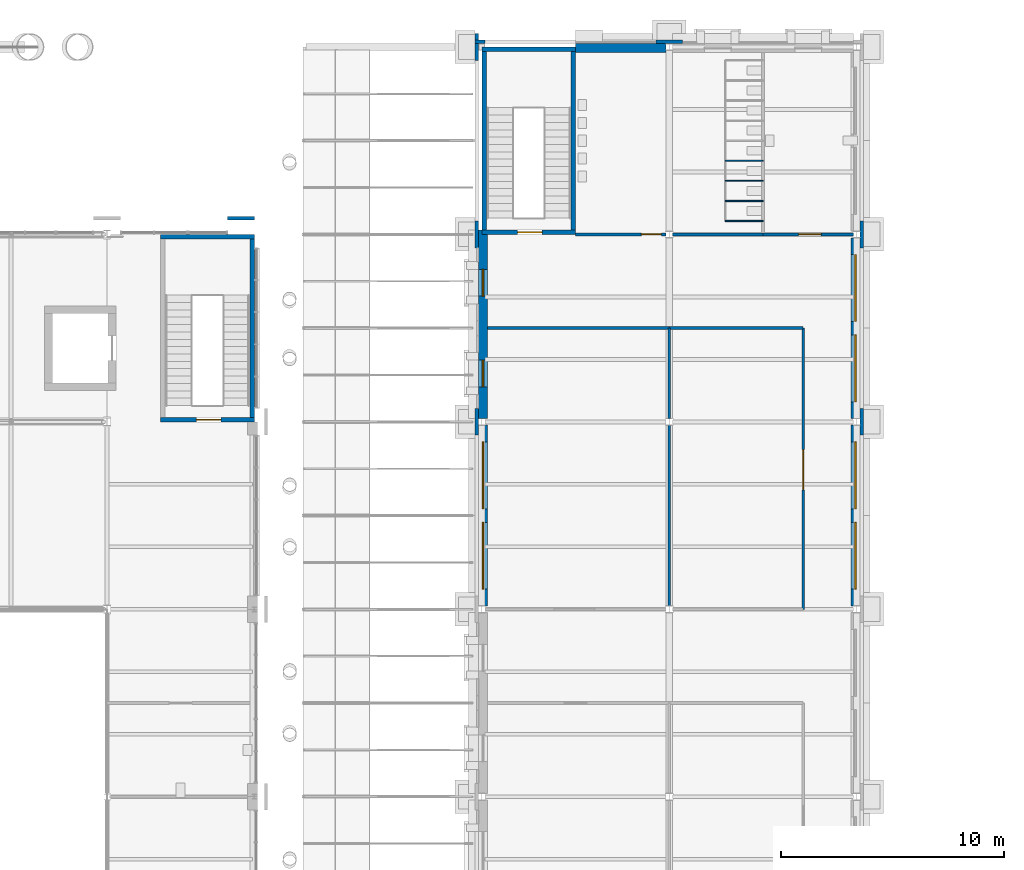
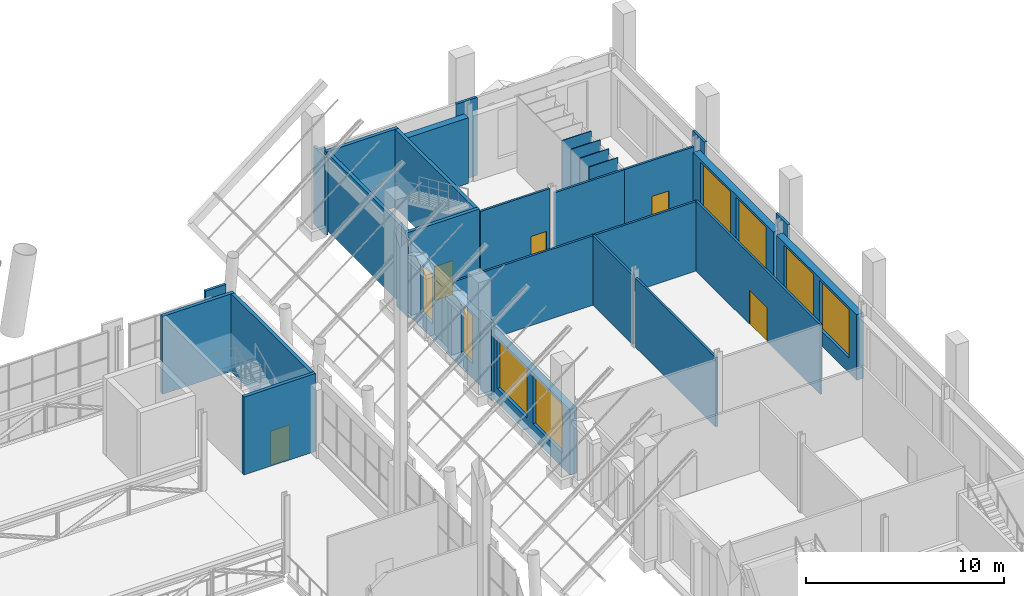
# One storey, part 55 of 76: 32 walls, 8 windows, 5 doors, 13 openings.
"""IFC4 building model written with IfcOpenShell, lengths in metres."""

from ifc_helpers import new_model, si_unit, direction, frame, frame_2d, origin, place, context, subcontext, project, spatial, rectangle, extrude, material, layer, layer_set, type_object, element, fill, save


model = new_model("IFC4")

# Units and contexts
model_context = context("Model", 3, precision=1e-05, world=origin(), true_north=direction((0.0, 1.0)))
body_context = subcontext(model_context, "Body", "Model", "MODEL_VIEW")
ifc_project = project(units=[si_unit("LENGTHUNIT", "METRE"), si_unit("AREAUNIT", "SQUARE_METRE"), si_unit("VOLUMEUNIT", "CUBIC_METRE"), si_unit("PLANEANGLEUNIT", "RADIAN"), si_unit("MASSUNIT", "GRAM", prefix="KILO")], contexts=[model_context])

# Site, building, storey
site_placement = place(None, origin())
site = spatial("IfcSite", under=ifc_project, at=site_placement, CompositionType="ELEMENT")
building_placement = place(site_placement, origin())
building = spatial("IfcBuilding", under=site, at=building_placement, Name="Sava Quay Ferry Terminal", CompositionType="ELEMENT")
storey_placement = place(building_placement, frame((0.0, 0.0, 6.0)))
storey = spatial("IfcBuildingStorey", under=building, at=storey_placement, Name="L01", CompositionType="ELEMENT", Elevation=6.0)

# Walls
ifc_material_1 = material(Name="High-pressure laminate panel")
ifc_layer_1 = layer(ifc_material_1, 0.050048828125)
ifc_layer_set_1 = layer_set([ifc_layer_1], Name="High-pressure laminate panel")
wall_type_1 = type_object("IfcWallType", Name="Cubicle partition 50", PredefinedType="PARTITIONING", material=ifc_layer_set_1)
for number, where, z_axis, x_axis, name in (
    (1, (105.0, 101.39990234375, 0.0), (0.0, 0.0, 1.0), (-1.0, 0.0, 0.0), "Cubicle partition panel"),
    (2, (105.0, 102.300048828125, 0.0), (0.0, 0.0, 1.0), (-1.0, 0.0, 0.0), "Cubicle partition panel"),
    (3, (105.0, 103.199951171875, 0.0), (0.0, 0.0, 1.0), (-1.0, 0.0, 0.0), "Cubicle partition panel"),
    (4, (105.0, 104.10009765625, 0.0), (0.0, 0.0, 1.0), (-1.0, 0.0, 0.0), "Cubicle partition panel"),
):
    element("IfcWall", number, at=place(storey_placement, frame(where, z_axis=z_axis, x_axis=x_axis)), inside=storey, type_object=wall_type_1, Name=name, PredefinedType="PARTITIONING", context=body_context, shape_type="SweptSolid", body=[
        extrude(rectangle(XDim=1.699951171875, YDim=0.050048828125, at=frame_2d((0.85009765625, 0.0))), origin(), (0.0, 0.0, 1.0), 4.669921875),
    ])
ifc_material_2 = material(Name="Limestone Mutalj", Category="masonry")
ifc_layer_2 = layer(ifc_material_2, 0.14990234375)
ifc_layer_set_2 = layer_set([ifc_layer_2], Name="Limestone Mutalj")
wall_type_2 = type_object("IfcWallType", Name="Pier cladding 150", PredefinedType="SOLIDWALL", material=ifc_layer_set_2)
for number, where, z_axis, x_axis, name in (
    (5, (92.175048828125, 91.800048828125, 0.0), (0.0, 0.0, 1.0), (0.0, 1.0, 0.0), "Pier O-W grid 92.4"),
    (6, (92.175048828125, 100.199951171875, 0.0), (0.0, 0.0, 1.0), (0.0, 1.0, 0.0), "Pier O-W grid 100.8"),
    (7, (92.175048828125, 108.60009765625, 0.0), (0.0, 0.0, 1.0), (0.0, 1.0, 0.0), "Pier O-W grid 109.2"),
):
    element("IfcWall", number, at=place(storey_placement, frame(where, z_axis=z_axis, x_axis=x_axis)), inside=storey, type_object=wall_type_2, Name=name, PredefinedType="SOLIDWALL", context=body_context, shape_type="SweptSolid", body=[
        extrude(rectangle(XDim=1.199951171875, YDim=0.14990234375, at=frame_2d((0.60009765625, 0.0))), origin(), (0.0, 0.0, 1.0), 4.800048828125),
    ])
wall_1_placement = place(storey_placement, frame((92.10009765625, 109.43505859375, 0.0), z_axis=(0.0, 0.0, 1.0), x_axis=(1.0, 0.0, 0.0)))
element("IfcWall", 8, at=wall_1_placement, inside=storey, type_object=wall_type_2, Name="Pier O-N grid 92.4", PredefinedType="SOLIDWALL", context=body_context, shape_type="SweptSolid", body=[
    extrude(rectangle(XDim=0.449951171875, YDim=0.14990234375, at=frame_2d((0.22509765625, 0.0))), origin(), (0.0, 0.0, 1.0), 4.800048828125),
])
for number, where, z_axis, x_axis, name in (
    (9, (100.199951171875, 109.43505859375, 0.0), (0.0, 0.0, 1.0), (1.0, 0.0, 0.0), "Pier O-N grid 100.8"),
    (10, (109.425048828125, 91.800048828125, 0.0), (0.0, 0.0, 1.0), (0.0, 1.0, 0.0), "Pier O-E grid 92.4"),
    (11, (109.425048828125, 100.199951171875, 0.0), (0.0, 0.0, 1.0), (0.0, 1.0, 0.0), "Pier O-E grid 100.8"),
    (12, (81.0, 101.52490234375, 0.0), (0.0, 0.0, 1.0), (1.0, 0.0, 0.0), "Pier D-N 81.6"),
):
    element("IfcWall", number, at=place(storey_placement, frame(where, z_axis=z_axis, x_axis=x_axis)), inside=storey, type_object=wall_type_2, Name=name, PredefinedType="SOLIDWALL", context=body_context, shape_type="SweptSolid", body=[
        extrude(rectangle(XDim=1.199951171875, YDim=0.14990234375, at=frame_2d((0.60009765625, 0.0))), origin(), (0.0, 0.0, 1.0), 4.800048828125),
    ])

# Wall, opening, door
ifc_material_3 = material(Name="Concrete C35/45", Category="concrete")
ifc_layer_3 = layer(ifc_material_3, 0.199951171875)
ifc_layer_set_3 = layer_set([ifc_layer_3], Name="Concrete C35/45")
wall_type_3 = type_object("IfcWallType", Name="RC core wall 200", PredefinedType="SHEAR", material=ifc_layer_set_3)
wall_2_placement = place(storey_placement, frame((78.0, 92.5, 0.0), z_axis=(0.0, 0.0, 1.0), x_axis=(1.0, 0.0, 0.0)))
wall_2 = element("IfcWall", 13, at=wall_2_placement, inside=storey, type_object=wall_type_3, Name="Core wall ST-D6 S L01", PredefinedType="SHEAR", context=body_context, shape_type="SweptSolid", body=[
    extrude(rectangle(XDim=4.199951171875, YDim=0.199951171875, at=frame_2d((2.10009765625, 0.0))), origin(), (0.0, 0.0, 1.0), 4.800048828125),
])
opening_1_placement = place(wall_2_placement, frame((1.60009765625, 0.0, 0.0)))
opening_1 = element("IfcOpeningElement", 14, at=opening_1_placement, cuts=wall_2, Name="Opening DS0109", PredefinedType="OPENING", context=body_context, shape_type="SweptSolid", body=[
    extrude(rectangle(XDim=1.10009765625, YDim=2.10009765625, at=frame_2d((0.550048828125, 1.050048828125))), frame((0.0, 0.10009765625, 0.0), z_axis=(0.0, -1.0, 0.0), x_axis=(1.0, 0.0, 0.0)), (0.0, 0.0, 1.0), 0.199951171875),
])
ifc_material_4 = material(Name="Steel fire door set", Category="steel")
door_type_1 = type_object("IfcDoorType", Name="Stair fire door 1100 x 2100", OperationType="NOTDEFINED", PredefinedType="DOOR", material=ifc_material_4)
door_1_placement = place(opening_1_placement, origin())
door_1 = element("IfcDoor", 15, at=door_1_placement, inside=storey, type_object=door_type_1, Name="Door DS0109", OperationType="SINGLE_SWING_RIGHT", OverallHeight=2.10009765625, OverallWidth=1.10009765625, PredefinedType="DOOR", context=body_context, shape_type="SweptSolid", body=[
    extrude(rectangle(XDim=1.10009765625, YDim=2.10009765625, at=frame_2d((0.550048828125, 1.050048828125))), frame((0.0, 0.02490234375, 0.0), z_axis=(0.0, -1.0, 0.0), x_axis=(1.0, 0.0, 0.0)), (0.0, 0.0, 1.0), 0.050048828125),
])
fill(opening_1, door_1)

# Walls
wall_3_placement = place(storey_placement, frame((78.0, 100.699951171875, 0.0), z_axis=(0.0, 0.0, 1.0), x_axis=(1.0, 0.0, 0.0)))
element("IfcWall", 16, at=wall_3_placement, inside=storey, type_object=wall_type_3, Name="Core wall ST-D6 N L01", PredefinedType="SHEAR", context=body_context, shape_type="SweptSolid", body=[
    extrude(rectangle(XDim=4.199951171875, YDim=0.199951171875, at=frame_2d((2.10009765625, 0.0))), origin(), (0.0, 0.0, 1.0), 4.800048828125),
])
wall_4_placement = place(storey_placement, frame((82.10009765625, 92.60009765625, 0.0), z_axis=(0.0, 0.0, 1.0), x_axis=(0.0, 1.0, 0.0)))
element("IfcWall", 17, at=wall_4_placement, inside=storey, type_object=wall_type_3, Name="Core wall ST-D6 E L01", PredefinedType="SHEAR", context=body_context, shape_type="SweptSolid", body=[
    extrude(rectangle(XDim=8.0, YDim=0.199951171875, at=frame_2d((4.0, 0.0))), origin(), (0.0, 0.0, 1.0), 4.800048828125),
])

# Wall, opening, door
wall_5_placement = place(storey_placement, frame((92.39990234375, 100.89990234375, 0.0), z_axis=(0.0, 0.0, 1.0), x_axis=(1.0, 0.0, 0.0)))
wall_5 = element("IfcWall", 18, at=wall_5_placement, inside=storey, type_object=wall_type_3, Name="Core wall ST-O3 S L01", PredefinedType="SHEAR", context=body_context, shape_type="SweptSolid", body=[
    extrude(rectangle(XDim=4.2001953125, YDim=0.199951171875, at=frame_2d((2.10009765625, 0.0))), origin(), (0.0, 0.0, 1.0), 4.800048828125),
])
opening_2_placement = place(wall_5_placement, frame((1.60009765625, 0.0, 0.0)))
opening_2 = element("IfcOpeningElement", 19, at=opening_2_placement, cuts=wall_5, Name="Opening DS0115", PredefinedType="OPENING", context=body_context, shape_type="SweptSolid", body=[
    extrude(rectangle(XDim=1.10009765625, YDim=2.10009765625, at=frame_2d((0.550048828125, 1.050048828125))), frame((0.0, 0.10009765625, 0.0), z_axis=(0.0, -1.0, 0.0), x_axis=(1.0, 0.0, 0.0)), (0.0, 0.0, 1.0), 0.199951171875),
])
door_2_placement = place(opening_2_placement, origin())
door_2 = element("IfcDoor", 20, at=door_2_placement, inside=storey, type_object=door_type_1, Name="Door DS0115", OperationType="SINGLE_SWING_RIGHT", OverallHeight=2.10009765625, OverallWidth=1.10009765625, PredefinedType="DOOR", context=body_context, shape_type="SweptSolid", body=[
    extrude(rectangle(XDim=1.10009765625, YDim=2.10009765625, at=frame_2d((0.550048828125, 1.050048828125))), frame((0.0, 0.02490234375, 0.0), z_axis=(0.0, -1.0, 0.0), x_axis=(1.0, 0.0, 0.0)), (0.0, 0.0, 1.0), 0.050048828125),
])
fill(opening_2, door_2)

# Walls
wall_6_placement = place(storey_placement, frame((92.39990234375, 109.10009765625, 0.0), z_axis=(0.0, 0.0, 1.0), x_axis=(1.0, 0.0, 0.0)))
element("IfcWall", 21, at=wall_6_placement, inside=storey, type_object=wall_type_3, Name="Core wall ST-O3 N L01", PredefinedType="SHEAR", context=body_context, shape_type="SweptSolid", body=[
    extrude(rectangle(XDim=4.2001953125, YDim=0.199951171875, at=frame_2d((2.10009765625, 0.0))), origin(), (0.0, 0.0, 1.0), 4.800048828125),
])
for number, where, z_axis, x_axis, name in (
    (22, (92.5, 101.0, 0.0), (0.0, 0.0, 1.0), (0.0, 1.0, 0.0), "Core wall ST-O3 W L01"),
    (23, (96.5, 101.0, 0.0), (0.0, 0.0, 1.0), (0.0, 1.0, 0.0), "Core wall ST-O3 E L01"),
):
    element("IfcWall", number, at=place(storey_placement, frame(where, z_axis=z_axis, x_axis=x_axis)), inside=storey, type_object=wall_type_3, Name=name, PredefinedType="SHEAR", context=body_context, shape_type="SweptSolid", body=[
        extrude(rectangle(XDim=8.0, YDim=0.199951171875, at=frame_2d((4.0, 0.0))), origin(), (0.0, 0.0, 1.0), 4.800048828125),
    ])
ifc_material_5 = material(Name="Plasterboard on steel studs", Category="steel")
ifc_layer_4 = layer(ifc_material_5, 0.125)
ifc_layer_set_4 = layer_set([ifc_layer_4], Name="Plasterboard on steel studs")
wall_type_4 = type_object("IfcWallType", Name="Room partition, plasterboard on steel studs 125", PredefinedType="PARTITIONING", material=ifc_layer_set_4)
wall_7_placement = place(storey_placement, frame((92.650390625, 96.60009765625, 0.0), z_axis=(0.0, 0.0, 1.0), x_axis=(1.0, 0.0, 0.0)))
element("IfcWall", 24, at=wall_7_placement, inside=storey, type_object=wall_type_4, Name="Room partition, plasterboard on steel studs 125", PredefinedType="PARTITIONING", context=body_context, shape_type="SweptSolid", body=[
    extrude(rectangle(XDim=8.149658203125, YDim=0.125, at=frame_2d((4.07470703125, 0.0))), origin(), (0.0, 0.0, 1.0), 4.280029296875),
])
wall_8_placement = place(storey_placement, frame((100.800048828125, 96.60009765625, 0.0), z_axis=(0.0, 0.0, 1.0), x_axis=(1.0, 0.0, 0.0)))
element("IfcWall", 25, at=wall_8_placement, inside=storey, type_object=wall_type_4, Name="Room partition, plasterboard on steel studs 125", PredefinedType="PARTITIONING", context=body_context, shape_type="SweptSolid", body=[
    extrude(rectangle(XDim=6.0, YDim=0.125, at=frame_2d((3.0, 0.0))), origin(), (0.0, 0.0, 1.0), 4.280029296875),
])

# Wall, opening, door
wall_9_placement = place(storey_placement, frame((106.800048828125, 84.0, 0.0), z_axis=(0.0, 0.0, 1.0), x_axis=(0.0, 1.0, 0.0)))
wall_9 = element("IfcWall", 26, at=wall_9_placement, inside=storey, type_object=wall_type_4, Name="Room partition, plasterboard on steel studs 125", PredefinedType="PARTITIONING", context=body_context, shape_type="SweptSolid", body=[
    extrude(rectangle(XDim=12.60009765625, YDim=0.125, at=frame_2d((6.300048828125, 0.0))), origin(), (0.0, 0.0, 1.0), 4.31005859375),
])
opening_3_placement = place(wall_9_placement, frame((5.35009765625, 0.0, 0.0)))
opening_3 = element("IfcOpeningElement", 27, at=opening_3_placement, cuts=wall_9, Name="Opening D0125", PredefinedType="OPENING", context=body_context, shape_type="SweptSolid", body=[
    extrude(rectangle(XDim=1.800048828125, YDim=2.10009765625, at=frame_2d((0.89990234375, 1.050048828125))), frame((0.0, 0.0625, 0.0), z_axis=(0.0, -1.0, 0.0), x_axis=(1.0, 0.0, 0.0)), (0.0, 0.0, 1.0), 0.125),
])
ifc_material_6 = material(Name="Timber door set", Category="wood")
door_type_2 = type_object("IfcDoorType", Name="Double door 1800 x 2100", OperationType="NOTDEFINED", PredefinedType="DOOR", material=ifc_material_6)
door_3_placement = place(opening_3_placement, origin())
door_3 = element("IfcDoor", 28, at=door_3_placement, inside=storey, type_object=door_type_2, Name="Door D0125", OperationType="DOUBLE_DOOR_DOUBLE_SWING", OverallHeight=2.10009765625, OverallWidth=1.800048828125, PredefinedType="DOOR", context=body_context, shape_type="SweptSolid", body=[
    extrude(rectangle(XDim=1.800048828125, YDim=2.10009765625, at=frame_2d((0.89990234375, 1.050048828125))), frame((0.0, 0.02490234375, 0.0), z_axis=(0.0, -1.0, 0.0), x_axis=(1.0, 0.0, 0.0)), (0.0, 0.0, 1.0), 0.050048828125),
])
fill(opening_3, door_3)

# Walls
wall_10_placement = place(storey_placement, frame((100.800048828125, 84.14990234375, 0.0), z_axis=(0.0, 0.0, 1.0), x_axis=(0.0, 1.0, 0.0)))
element("IfcWall", 29, at=wall_10_placement, inside=storey, type_object=wall_type_4, Name="Room partition, plasterboard on steel studs 125", PredefinedType="PARTITIONING", context=body_context, shape_type="SweptSolid", body=[
    extrude(rectangle(XDim=8.10009765625, YDim=0.125, at=frame_2d((4.050048828125, 0.0))), origin(), (0.0, 0.0, 1.0), 4.280029296875),
])
wall_11_placement = place(storey_placement, frame((100.800048828125, 92.550048828125, 0.0), z_axis=(0.0, 0.0, 1.0), x_axis=(0.0, 1.0, 0.0)))
element("IfcWall", 30, at=wall_11_placement, inside=storey, type_object=wall_type_4, Name="Room partition, plasterboard on steel studs 125", PredefinedType="PARTITIONING", context=body_context, shape_type="SweptSolid", body=[
    extrude(rectangle(XDim=4.050048828125, YDim=0.125, at=frame_2d((2.02490234375, 0.0))), origin(), (0.0, 0.0, 1.0), 4.280029296875),
])

# Wall, openings, windows
ifc_material_7 = material(Name="Sandstone Bela Voda", Category="masonry")
ifc_layer_5 = layer(ifc_material_7, 0.39990234375)
ifc_layer_set_5 = layer_set([ifc_layer_5], Name="Sandstone Bela Voda")
wall_type_5 = type_object("IfcWallType", Name="Sandstone ashlar infill 400", PredefinedType="SOLIDWALL", material=ifc_layer_set_5)
wall_12_placement = place(storey_placement, frame((92.449951171875, 84.14990234375, 0.0), z_axis=(0.0, 0.0, 1.0), x_axis=(0.0, 1.0, 0.0)))
wall_12 = element("IfcWall", 31, at=wall_12_placement, inside=storey, type_object=wall_type_5, Name="External wall O-W", PredefinedType="SOLIDWALL", context=body_context, shape_type="SweptSolid", body=[
    extrude(rectangle(XDim=8.10009765625, YDim=0.39990234375, at=frame_2d((4.050048828125, 0.0))), origin(), (0.0, 0.0, 1.0), 4.050048828125),
])
opening_4_placement = place(wall_12_placement, frame((0.75, 0.0, 0.89990234375)))
opening_4 = element("IfcOpeningElement", 32, at=opening_4_placement, cuts=wall_12, Name="Opening W-B", PredefinedType="OPENING", context=body_context, shape_type="SweptSolid", body=[
    extrude(rectangle(XDim=3.0, YDim=3.0, at=frame_2d((1.5, 1.5))), frame((0.0, 0.199951171875, 0.0), z_axis=(0.0, -1.0, 0.0), x_axis=(1.0, 0.0, 0.0)), (0.0, 0.0, 1.0), 0.39990234375),
])
opening_5_placement = place(wall_12_placement, frame((4.35009765625, 0.0, 0.89990234375)))
opening_5 = element("IfcOpeningElement", 33, at=opening_5_placement, cuts=wall_12, Name="Opening W-B", PredefinedType="OPENING", context=body_context, shape_type="SweptSolid", body=[
    extrude(rectangle(XDim=3.0, YDim=3.0, at=frame_2d((1.5, 1.5))), frame((0.0, 0.199951171875, 0.0), z_axis=(0.0, -1.0, 0.0), x_axis=(1.0, 0.0, 0.0)), (0.0, 0.0, 1.0), 0.39990234375),
])
ifc_material_8 = material(Name="Aluminium bronze anodised frame, glazing double low-e Ug 1.1", Category="aluminium")
window_type_1 = type_object("IfcWindowType", Name="Upper ordered window 3000x3000", PartitioningType="SINGLE_PANEL", PredefinedType="WINDOW", material=ifc_material_8)
window_1_placement = place(opening_4_placement, origin())
window_1 = element("IfcWindow", 34, at=window_1_placement, inside=storey, type_object=window_type_1, Name="Window W-B", OverallHeight=3.0, OverallWidth=3.0, PartitioningType="SINGLE_PANEL", PredefinedType="WINDOW", context=body_context, shape_type="SweptSolid", body=[
    extrude(rectangle(XDim=3.0, YDim=3.0, at=frame_2d((1.5, 1.5))), frame((0.0, 0.030029296875, 0.0), z_axis=(0.0, -1.0, 0.0), x_axis=(1.0, 0.0, 0.0)), (0.0, 0.0, 1.0), 0.06005859375),
])
fill(opening_4, window_1)
window_2_placement = place(opening_5_placement, origin())
window_2 = element("IfcWindow", 35, at=window_2_placement, inside=storey, type_object=window_type_1, Name="Window W-B", OverallHeight=3.0, OverallWidth=3.0, PartitioningType="SINGLE_PANEL", PredefinedType="WINDOW", context=body_context, shape_type="SweptSolid", body=[
    extrude(rectangle(XDim=3.0, YDim=3.0, at=frame_2d((1.5, 1.5))), frame((0.0, 0.030029296875, 0.0), z_axis=(0.0, -1.0, 0.0), x_axis=(1.0, 0.0, 0.0)), (0.0, 0.0, 1.0), 0.06005859375),
])
fill(opening_5, window_2)

wall_13_placement = place(storey_placement, frame((92.449951171875, 92.550048828125, 0.0), z_axis=(0.0, 0.0, 1.0), x_axis=(0.0, 1.0, 0.0)))
wall_13 = element("IfcWall", 36, at=wall_13_placement, inside=storey, type_object=wall_type_5, Name="External wall O-W", PredefinedType="SOLIDWALL", context=body_context, shape_type="SweptSolid", body=[
    extrude(rectangle(XDim=8.449951171875, YDim=0.39990234375, at=frame_2d((4.22509765625, 0.0))), origin(), (0.0, 0.0, 1.0), 4.050048828125),
])
opening_6_placement = place(wall_13_placement, frame((1.418701171875, 0.0, 0.89990234375)))
opening_6 = element("IfcOpeningElement", 37, at=opening_6_placement, cuts=wall_13, Name="Opening W-E1", PredefinedType="OPENING", context=body_context, shape_type="SweptSolid", body=[
    extrude(rectangle(XDim=1.199951171875, YDim=3.0, at=frame_2d((0.60009765625, 1.5))), frame((0.0, 0.199951171875, 0.0), z_axis=(0.0, -1.0, 0.0), x_axis=(1.0, 0.0, 0.0)), (0.0, 0.0, 1.0), 0.39990234375),
])
opening_7_placement = place(wall_13_placement, frame((5.481201171875, 0.0, 0.89990234375)))
opening_7 = element("IfcOpeningElement", 38, at=opening_7_placement, cuts=wall_13, Name="Opening W-E1", PredefinedType="OPENING", context=body_context, shape_type="SweptSolid", body=[
    extrude(rectangle(XDim=1.199951171875, YDim=3.0, at=frame_2d((0.60009765625, 1.5))), frame((0.0, 0.199951171875, 0.0), z_axis=(0.0, -1.0, 0.0), x_axis=(1.0, 0.0, 0.0)), (0.0, 0.0, 1.0), 0.39990234375),
])
ifc_material_9 = material(Name="Aluminium bronze anodised frame, glazing double low-e Ug 1.1", Category="aluminium")
window_type_2 = type_object("IfcWindowType", Name="Entrance sidelight 1200x3000", PartitioningType="SINGLE_PANEL", PredefinedType="WINDOW", material=ifc_material_9)
window_3_placement = place(opening_6_placement, origin())
window_3 = element("IfcWindow", 39, at=window_3_placement, inside=storey, type_object=window_type_2, Name="Window W-E1", OverallHeight=3.0, OverallWidth=1.199951171875, PartitioningType="SINGLE_PANEL", PredefinedType="WINDOW", context=body_context, shape_type="SweptSolid", body=[
    extrude(rectangle(XDim=1.199951171875, YDim=3.0, at=frame_2d((0.60009765625, 1.5))), frame((0.0, 0.030029296875, 0.0), z_axis=(0.0, -1.0, 0.0), x_axis=(1.0, 0.0, 0.0)), (0.0, 0.0, 1.0), 0.06005859375),
])
fill(opening_6, window_3)
window_4_placement = place(opening_7_placement, origin())
window_4 = element("IfcWindow", 40, at=window_4_placement, inside=storey, type_object=window_type_2, Name="Window W-E1", OverallHeight=3.0, OverallWidth=1.199951171875, PartitioningType="SINGLE_PANEL", PredefinedType="WINDOW", context=body_context, shape_type="SweptSolid", body=[
    extrude(rectangle(XDim=1.199951171875, YDim=3.0, at=frame_2d((0.60009765625, 1.5))), frame((0.0, 0.030029296875, 0.0), z_axis=(0.0, -1.0, 0.0), x_axis=(1.0, 0.0, 0.0)), (0.0, 0.0, 1.0), 0.06005859375),
])
fill(opening_7, window_4)

# Wall
wall_14_placement = place(storey_placement, frame((96.60009765625, 109.159912109375, 0.0), z_axis=(0.0, 0.0, 1.0), x_axis=(1.0, 0.0, 0.0)))
element("IfcWall", 41, at=wall_14_placement, inside=storey, type_object=wall_type_5, Name="External wall O-N", PredefinedType="SOLIDWALL", context=body_context, shape_type="SweptSolid", body=[
    extrude(rectangle(XDim=4.0498046875, YDim=0.39990234375, at=frame_2d((2.02490234375, 0.0))), origin(), (0.0, 0.0, 1.0), 4.050048828125),
])

# Wall, openings, windows
wall_15_placement = place(storey_placement, frame((109.14990234375, 84.14990234375, 0.0), z_axis=(0.0, 0.0, 1.0), x_axis=(0.0, 1.0, 0.0)))
wall_15 = element("IfcWall", 42, at=wall_15_placement, inside=storey, type_object=wall_type_5, Name="External wall O-E", PredefinedType="SOLIDWALL", context=body_context, shape_type="SweptSolid", body=[
    extrude(rectangle(XDim=8.10009765625, YDim=0.39990234375, at=frame_2d((4.050048828125, 0.0))), origin(), (0.0, 0.0, 1.0), 4.050048828125),
])
opening_8_placement = place(wall_15_placement, frame((0.75, 0.0, 0.89990234375)))
opening_8 = element("IfcOpeningElement", 43, at=opening_8_placement, cuts=wall_15, Name="Opening W-B", PredefinedType="OPENING", context=body_context, shape_type="SweptSolid", body=[
    extrude(rectangle(XDim=3.0, YDim=3.0, at=frame_2d((1.5, 1.5))), frame((0.0, 0.199951171875, 0.0), z_axis=(0.0, -1.0, 0.0), x_axis=(1.0, 0.0, 0.0)), (0.0, 0.0, 1.0), 0.39990234375),
])
opening_9_placement = place(wall_15_placement, frame((4.35009765625, 0.0, 0.89990234375)))
opening_9 = element("IfcOpeningElement", 44, at=opening_9_placement, cuts=wall_15, Name="Opening W-B", PredefinedType="OPENING", context=body_context, shape_type="SweptSolid", body=[
    extrude(rectangle(XDim=3.0, YDim=3.0, at=frame_2d((1.5, 1.5))), frame((0.0, 0.199951171875, 0.0), z_axis=(0.0, -1.0, 0.0), x_axis=(1.0, 0.0, 0.0)), (0.0, 0.0, 1.0), 0.39990234375),
])
window_5_placement = place(opening_8_placement, origin())
window_5 = element("IfcWindow", 45, at=window_5_placement, inside=storey, type_object=window_type_1, Name="Window W-B", OverallHeight=3.0, OverallWidth=3.0, PartitioningType="SINGLE_PANEL", PredefinedType="WINDOW", context=body_context, shape_type="SweptSolid", body=[
    extrude(rectangle(XDim=3.0, YDim=3.0, at=frame_2d((1.5, 1.5))), frame((0.0, 0.030029296875, 0.0), z_axis=(0.0, -1.0, 0.0), x_axis=(1.0, 0.0, 0.0)), (0.0, 0.0, 1.0), 0.06005859375),
])
fill(opening_8, window_5)
window_6_placement = place(opening_9_placement, origin())
window_6 = element("IfcWindow", 46, at=window_6_placement, inside=storey, type_object=window_type_1, Name="Window W-B", OverallHeight=3.0, OverallWidth=3.0, PartitioningType="SINGLE_PANEL", PredefinedType="WINDOW", context=body_context, shape_type="SweptSolid", body=[
    extrude(rectangle(XDim=3.0, YDim=3.0, at=frame_2d((1.5, 1.5))), frame((0.0, 0.030029296875, 0.0), z_axis=(0.0, -1.0, 0.0), x_axis=(1.0, 0.0, 0.0)), (0.0, 0.0, 1.0), 0.06005859375),
])
fill(opening_9, window_6)

wall_16_placement = place(storey_placement, frame((109.14990234375, 92.550048828125, 0.0), z_axis=(0.0, 0.0, 1.0), x_axis=(0.0, 1.0, 0.0)))
wall_16 = element("IfcWall", 47, at=wall_16_placement, inside=storey, type_object=wall_type_5, Name="External wall O-E", PredefinedType="SOLIDWALL", context=body_context, shape_type="SweptSolid", body=[
    extrude(rectangle(XDim=8.099853515625, YDim=0.39990234375, at=frame_2d((4.0498046875, 0.0))), origin(), (0.0, 0.0, 1.0), 4.050048828125),
])
opening_10_placement = place(wall_16_placement, frame((0.75, 0.0, 0.89990234375)))
opening_10 = element("IfcOpeningElement", 48, at=opening_10_placement, cuts=wall_16, Name="Opening W-B", PredefinedType="OPENING", context=body_context, shape_type="SweptSolid", body=[
    extrude(rectangle(XDim=3.0, YDim=3.0, at=frame_2d((1.5, 1.5))), frame((0.0, 0.199951171875, 0.0), z_axis=(0.0, -1.0, 0.0), x_axis=(1.0, 0.0, 0.0)), (0.0, 0.0, 1.0), 0.39990234375),
])
opening_11_placement = place(wall_16_placement, frame((4.35009765625, 0.0, 0.89990234375)))
opening_11 = element("IfcOpeningElement", 49, at=opening_11_placement, cuts=wall_16, Name="Opening W-B", PredefinedType="OPENING", context=body_context, shape_type="SweptSolid", body=[
    extrude(rectangle(XDim=3.0, YDim=3.0, at=frame_2d((1.5, 1.5))), frame((0.0, 0.199951171875, 0.0), z_axis=(0.0, -1.0, 0.0), x_axis=(1.0, 0.0, 0.0)), (0.0, 0.0, 1.0), 0.39990234375),
])
window_7_placement = place(opening_10_placement, origin())
window_7 = element("IfcWindow", 50, at=window_7_placement, inside=storey, type_object=window_type_1, Name="Window W-B", OverallHeight=3.0, OverallWidth=3.0, PartitioningType="SINGLE_PANEL", PredefinedType="WINDOW", context=body_context, shape_type="SweptSolid", body=[
    extrude(rectangle(XDim=3.0, YDim=3.0, at=frame_2d((1.5, 1.5))), frame((0.0, 0.030029296875, 0.0), z_axis=(0.0, -1.0, 0.0), x_axis=(1.0, 0.0, 0.0)), (0.0, 0.0, 1.0), 0.06005859375),
])
fill(opening_10, window_7)
window_8_placement = place(opening_11_placement, origin())
window_8 = element("IfcWindow", 51, at=window_8_placement, inside=storey, type_object=window_type_1, Name="Window W-B", OverallHeight=3.0, OverallWidth=3.0, PartitioningType="SINGLE_PANEL", PredefinedType="WINDOW", context=body_context, shape_type="SweptSolid", body=[
    extrude(rectangle(XDim=3.0, YDim=3.0, at=frame_2d((1.5, 1.5))), frame((0.0, 0.030029296875, 0.0), z_axis=(0.0, -1.0, 0.0), x_axis=(1.0, 0.0, 0.0)), (0.0, 0.0, 1.0), 0.06005859375),
])
fill(opening_11, window_8)

# Wall, opening, door
ifc_material_10 = material(Name="Moisture-resistant board on steel studs", Category="steel")
ifc_layer_6 = layer(ifc_material_10, 0.125)
ifc_layer_set_6 = layer_set([ifc_layer_6], Name="Moisture-resistant board on steel studs")
wall_type_6 = type_object("IfcWallType", Name="Toilet partition, moisture-resistant board 125", PredefinedType="PARTITIONING", material=ifc_layer_set_6)
wall_17_placement = place(storey_placement, frame((96.60009765625, 100.800048828125, 0.0), z_axis=(0.0, 0.0, 1.0), x_axis=(1.0, 0.0, 0.0)))
wall_17 = element("IfcWall", 52, at=wall_17_placement, inside=storey, type_object=wall_type_6, Name="Toilet partition, moisture-resistant board 125", PredefinedType="PARTITIONING", context=body_context, shape_type="SweptSolid", body=[
    extrude(rectangle(XDim=4.0498046875, YDim=0.125, at=frame_2d((2.02490234375, 0.0))), origin(), (0.0, 0.0, 1.0), 4.669921875),
])
opening_12_placement = place(wall_17_placement, frame((2.949951171875, 0.0, 0.0)))
opening_12 = element("IfcOpeningElement", 53, at=opening_12_placement, cuts=wall_17, Name="Opening D0126", PredefinedType="OPENING", context=body_context, shape_type="SweptSolid", body=[
    extrude(rectangle(XDim=0.89990234375, YDim=2.10009765625, at=frame_2d((0.449951171875, 1.050048828125))), frame((0.0, 0.0625, 0.0), z_axis=(0.0, -1.0, 0.0), x_axis=(1.0, 0.0, 0.0)), (0.0, 0.0, 1.0), 0.125),
])
ifc_material_11 = material(Name="Laminate door set")
door_type_3 = type_object("IfcDoorType", Name="Toilet door 900 x 2100", OperationType="NOTDEFINED", PredefinedType="DOOR", material=ifc_material_11)
door_4_placement = place(opening_12_placement, origin())
door_4 = element("IfcDoor", 54, at=door_4_placement, inside=storey, type_object=door_type_3, Name="Door D0126", OperationType="SINGLE_SWING_LEFT", OverallHeight=2.10009765625, OverallWidth=0.89990234375, PredefinedType="DOOR", context=body_context, shape_type="SweptSolid", body=[
    extrude(rectangle(XDim=0.89990234375, YDim=2.10009765625, at=frame_2d((0.449951171875, 1.050048828125))), frame((0.0, 0.02490234375, 0.0), z_axis=(0.0, -1.0, 0.0), x_axis=(1.0, 0.0, 0.0)), (0.0, 0.0, 1.0), 0.050048828125),
])
fill(opening_12, door_4)

# Wall
wall_18_placement = place(storey_placement, frame((100.949951171875, 100.800048828125, 0.0), z_axis=(0.0, 0.0, 1.0), x_axis=(1.0, 0.0, 0.0)))
element("IfcWall", 55, at=wall_18_placement, inside=storey, type_object=wall_type_6, Name="Toilet partition, moisture-resistant board 125", PredefinedType="PARTITIONING", context=body_context, shape_type="SweptSolid", body=[
    extrude(rectangle(XDim=4.050048828125, YDim=0.125, at=frame_2d((2.02490234375, 0.0))), origin(), (0.0, 0.0, 1.0), 4.31005859375),
])

# Wall, opening, door
wall_19_placement = place(storey_placement, frame((105.0, 100.800048828125, 0.0), z_axis=(0.0, 0.0, 1.0), x_axis=(1.0, 0.0, 0.0)))
wall_19 = element("IfcWall", 56, at=wall_19_placement, inside=storey, type_object=wall_type_6, Name="Toilet partition, moisture-resistant board 125", PredefinedType="PARTITIONING", context=body_context, shape_type="SweptSolid", body=[
    extrude(rectangle(XDim=4.050048828125, YDim=0.125, at=frame_2d((2.02490234375, 0.0))), origin(), (0.0, 0.0, 1.0), 4.31005859375),
])
opening_13_placement = place(wall_19_placement, frame((1.60009765625, 0.0, 0.0)))
opening_13 = element("IfcOpeningElement", 57, at=opening_13_placement, cuts=wall_19, Name="Opening D0127", PredefinedType="OPENING", context=body_context, shape_type="SweptSolid", body=[
    extrude(rectangle(XDim=1.0, YDim=2.10009765625, at=frame_2d((0.5, 1.050048828125))), frame((0.0, 0.0625, 0.0), z_axis=(0.0, -1.0, 0.0), x_axis=(1.0, 0.0, 0.0)), (0.0, 0.0, 1.0), 0.125),
])
ifc_material_12 = material(Name="Laminate door set")
door_type_4 = type_object("IfcDoorType", Name="Accessible toilet door 1000 x 2100", OperationType="NOTDEFINED", PredefinedType="DOOR", material=ifc_material_12)
door_5_placement = place(opening_13_placement, origin())
door_5 = element("IfcDoor", 58, at=door_5_placement, inside=storey, type_object=door_type_4, Name="Door D0127", OperationType="SINGLE_SWING_LEFT", OverallHeight=2.10009765625, OverallWidth=1.0, PredefinedType="DOOR", context=body_context, shape_type="SweptSolid", body=[
    extrude(rectangle(XDim=1.0, YDim=2.10009765625, at=frame_2d((0.5, 1.050048828125))), frame((0.0, 0.02490234375, 0.0), z_axis=(0.0, -1.0, 0.0), x_axis=(1.0, 0.0, 0.0)), (0.0, 0.0, 1.0), 0.050048828125),
])
fill(opening_13, door_5)

save(model, "model.ifc")
